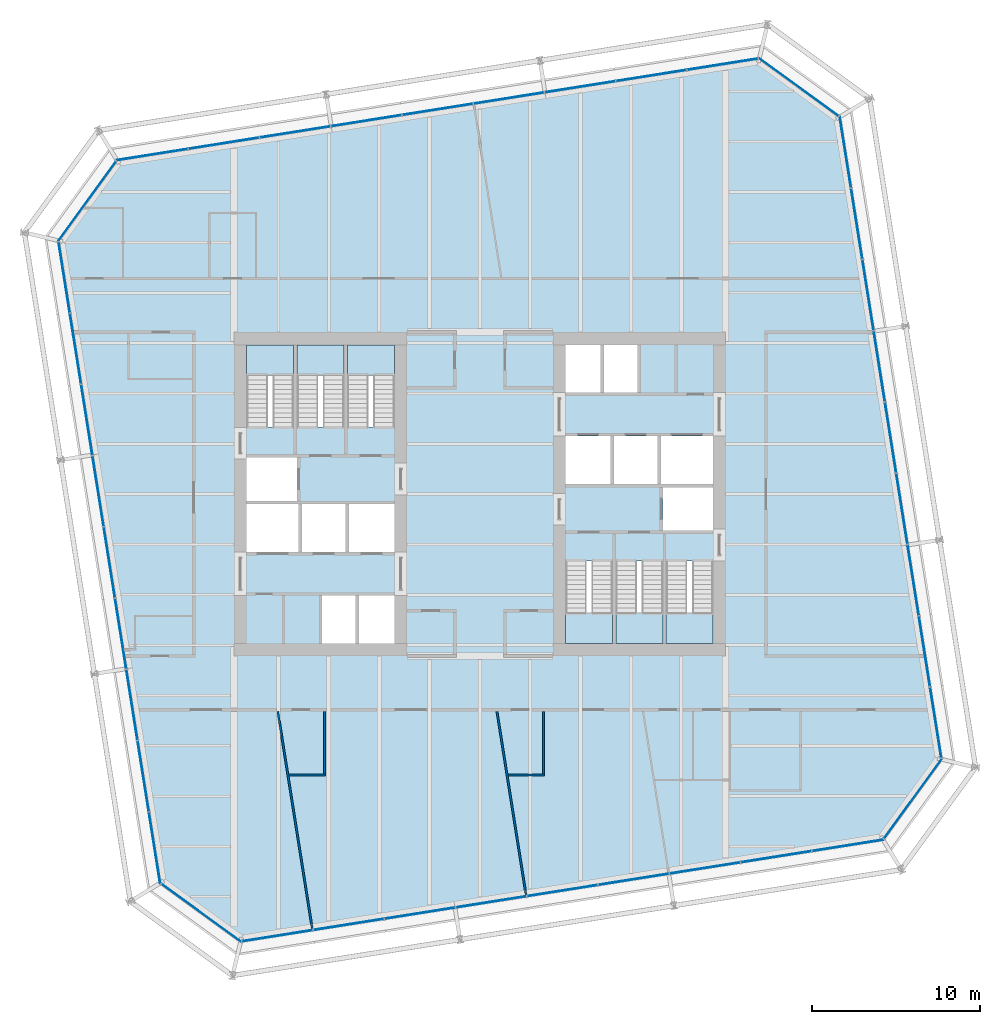
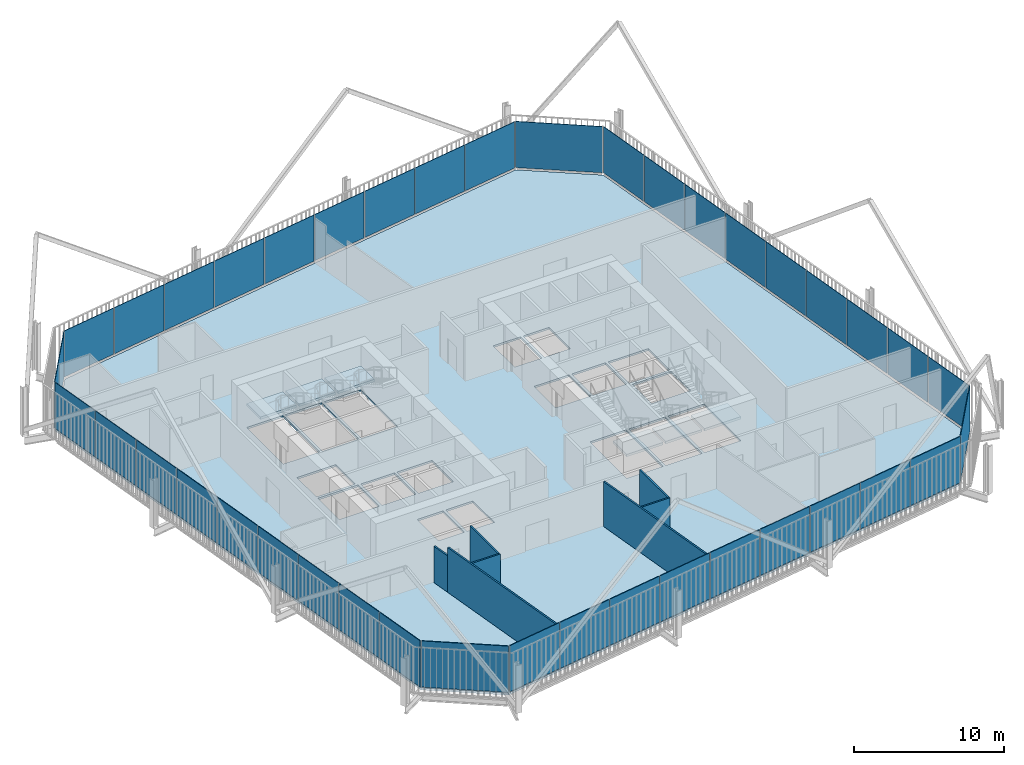
# One storey, part 17 of 22: 40 plates, 7 slabs, 7 walls, 14 elements without a shape of their own.
"""IFC4 building model written with IfcOpenShell, lengths in metres."""

from ifc_helpers import new_model, si_unit, direction, frame, frame_2d, origin, place, context, subcontext, project, spatial, polyline, rectangle, outline, extrude, material, layer, layer_set, type_object, element, aggregate, save


model = new_model("IFC4")

# Units and contexts
model_context = context("Model", 3, precision=1e-05, world=origin(), true_north=direction((0.0, 1.0)))
body_context = subcontext(model_context, "Body", "Model", "MODEL_VIEW")
ifc_project = project(units=[si_unit("LENGTHUNIT", "METRE"), si_unit("AREAUNIT", "SQUARE_METRE"), si_unit("VOLUMEUNIT", "CUBIC_METRE"), si_unit("PLANEANGLEUNIT", "RADIAN"), si_unit("MASSUNIT", "GRAM", prefix="KILO")], contexts=[model_context])

# Site, building, storey
site_placement = place(None, origin())
site = spatial("IfcSite", under=ifc_project, at=site_placement, CompositionType="ELEMENT")
building_placement = place(site_placement, origin())
building = spatial("IfcBuilding", under=site, at=building_placement, Name="Millrace Tower", CompositionType="ELEMENT")
storey_placement = place(building_placement, frame((0.0, 0.0, 168.5)))
storey = spatial("IfcBuildingStorey", under=building, at=storey_placement, Name="L38", CompositionType="ELEMENT", Elevation=168.5)

# Curtain wall, plate
ifc_material_1 = material(Name="Aluminium and glass", Category="aluminium")
ifc_layer_1 = layer(ifc_material_1, 0.14990234375)
ifc_layer_set_1 = layer_set([ifc_layer_1], Name="Aluminium and glass")
curtain_wall_type = type_object("IfcCurtainWallType", Name="CW-1 office vision curtain wall", PredefinedType="NOTDEFINED", material=ifc_layer_set_1)
placement_1 = place(storey_placement, origin())
curtain_wall_1 = element("IfcCurtainWall", 1, at=placement_1, inside=storey, type_object=curtain_wall_type, Name="Curtain wall C-F01 L38", PredefinedType="NOTDEFINED")
ifc_material_2 = material(Name="Glass", Category="glass")
ifc_layer_2 = layer(ifc_material_2, 0.0439453125)
ifc_layer_set_2 = layer_set([ifc_layer_2], Name="Glass")
plate_type = type_object("IfcPlateType", Name="CW-1 office vision curtain wall triple-glazed vision panel", PredefinedType="CURTAIN_PANEL", material=ifc_layer_set_2)
placement_2 = place(storey_placement, frame((0.0, 0.0, 0.139892578125)))
plate_1 = element("IfcPlate", 2, at=placement_2, type_object=plate_type, Name="CW1 panel C-F01.1", PredefinedType="CURTAIN_PANEL", context=body_context, shape_type="SweptSolid", body=[
    extrude(outline(polyline([(-18.988037109375, -23.254638671875), (-14.260009765625, -26.689697265625), (-14.2490234375, -26.6435546875), (-18.962158203125, -23.218994140625), (-18.988037109375, -23.254638671875)])), origin(), (0.0, 0.0, 1.0), 3.760009765625),
])
aggregate(curtain_wall_1, [plate_1])

# Curtain wall, plates
curtain_wall_2 = element("IfcCurtainWall", 3, at=placement_1, inside=storey, type_object=curtain_wall_type, Name="Curtain wall C-F02 L38", PredefinedType="NOTDEFINED")
plate_2 = element("IfcPlate", 4, at=placement_2, type_object=plate_type, Name="CW1 panel C-F02.1", PredefinedType="CURTAIN_PANEL", context=body_context, shape_type="SweptSolid", body=[
    extrude(outline(polyline([(-14.15625, -26.67333984375), (-9.973388671875, -26.0107421875), (-9.980224609375, -25.96728515625), (-14.1630859375, -26.6298828125), (-14.15625, -26.67333984375)])), origin(), (0.0, 0.0, 1.0), 3.760009765625),
])
plate_3 = element("IfcPlate", 5, at=placement_2, type_object=plate_type, Name="CW1 panel C-F02.2", PredefinedType="CURTAIN_PANEL", context=body_context, shape_type="SweptSolid", body=[
    extrude(outline(polyline([(-9.9091796875, -26.000732421875), (-5.726318359375, -25.338134765625), (-5.733154296875, -25.294677734375), (-9.916015625, -25.957275390625), (-9.9091796875, -26.000732421875)])), origin(), (0.0, 0.0, 1.0), 3.760009765625),
])
plate_4 = element("IfcPlate", 6, at=placement_2, type_object=plate_type, Name="CW1 panel C-F02.3", PredefinedType="CURTAIN_PANEL", context=body_context, shape_type="SweptSolid", body=[
    extrude(outline(polyline([(-5.662109375, -25.327880859375), (-1.479248046875, -24.66552734375), (-1.486083984375, -24.6220703125), (-5.6689453125, -25.284423828125), (-5.662109375, -25.327880859375)])), origin(), (0.0, 0.0, 1.0), 3.760009765625),
])
plate_5 = element("IfcPlate", 7, at=placement_2, type_object=plate_type, Name="CW1 panel C-F02.4", PredefinedType="CURTAIN_PANEL", context=body_context, shape_type="SweptSolid", body=[
    extrude(outline(polyline([(-1.4150390625, -24.6552734375), (2.767822265625, -23.992919921875), (2.760986328125, -23.949462890625), (-1.421875, -24.61181640625), (-1.4150390625, -24.6552734375)])), origin(), (0.0, 0.0, 1.0), 3.760009765625),
])
plate_6 = element("IfcPlate", 8, at=placement_2, type_object=plate_type, Name="CW1 panel C-F02.5", PredefinedType="CURTAIN_PANEL", context=body_context, shape_type="SweptSolid", body=[
    extrude(outline(polyline([(2.83203125, -23.982666015625), (7.014892578125, -23.320068359375), (7.008056640625, -23.276611328125), (2.8251953125, -23.939208984375), (2.83203125, -23.982666015625)])), origin(), (0.0, 0.0, 1.0), 3.760009765625),
])
plate_7 = element("IfcPlate", 9, at=placement_2, type_object=plate_type, Name="CW1 panel C-F02.6", PredefinedType="CURTAIN_PANEL", context=body_context, shape_type="SweptSolid", body=[
    extrude(outline(polyline([(7.0791015625, -23.31005859375), (11.261962890625, -22.6474609375), (11.255126953125, -22.60400390625), (7.072265625, -23.2666015625), (7.0791015625, -23.31005859375)])), origin(), (0.0, 0.0, 1.0), 3.760009765625),
])
plate_8 = element("IfcPlate", 10, at=placement_2, type_object=plate_type, Name="CW1 panel C-F02.7", PredefinedType="CURTAIN_PANEL", context=body_context, shape_type="SweptSolid", body=[
    extrude(outline(polyline([(11.326171875, -22.63720703125), (15.509033203125, -21.974853515625), (15.502197265625, -21.931396484375), (11.3193359375, -22.59375), (11.326171875, -22.63720703125)])), origin(), (0.0, 0.0, 1.0), 3.760009765625),
])
plate_9 = element("IfcPlate", 11, at=placement_2, type_object=plate_type, Name="CW1 panel C-F02.8", PredefinedType="CURTAIN_PANEL", context=body_context, shape_type="SweptSolid", body=[
    extrude(outline(polyline([(15.5732421875, -21.964599609375), (19.756103515625, -21.30224609375), (19.749267578125, -21.2587890625), (15.56640625, -21.921142578125), (15.5732421875, -21.964599609375)])), origin(), (0.0, 0.0, 1.0), 3.760009765625),
])
plate_10 = element("IfcPlate", 12, at=placement_2, type_object=plate_type, Name="CW1 panel C-F02.9", PredefinedType="CURTAIN_PANEL", context=body_context, shape_type="SweptSolid", body=[
    extrude(outline(polyline([(19.8203125, -21.2919921875), (24.042724609375, -20.623291015625), (24.01806640625, -20.58251953125), (19.8134765625, -21.24853515625), (19.8203125, -21.2919921875)])), origin(), (0.0, 0.0, 1.0), 3.760009765625),
])
aggregate(curtain_wall_2, [plate_2, plate_3, plate_4, plate_5, plate_6, plate_7, plate_8, plate_9, plate_10])

# Curtain wall, plate
curtain_wall_3 = element("IfcCurtainWall", 13, at=placement_1, inside=storey, type_object=curtain_wall_type, Name="Curtain wall C-F03 L38", PredefinedType="NOTDEFINED")
plate_11 = element("IfcPlate", 14, at=placement_2, type_object=plate_type, Name="CW1 panel C-F03.1", PredefinedType="CURTAIN_PANEL", context=body_context, shape_type="SweptSolid", body=[
    extrude(outline(polyline([(24.104736328125, -20.5380859375), (27.539794921875, -15.81005859375), (27.493408203125, -15.799072265625), (24.069091796875, -20.51220703125), (24.104736328125, -20.5380859375)])), origin(), (0.0, 0.0, 1.0), 3.760009765625),
])
aggregate(curtain_wall_3, [plate_11])

# Curtain wall, plates
curtain_wall_4 = element("IfcCurtainWall", 15, at=placement_1, inside=storey, type_object=curtain_wall_type, Name="Curtain wall C-F04 L38", PredefinedType="NOTDEFINED")
plate_12 = element("IfcPlate", 16, at=placement_2, type_object=plate_type, Name="CW1 panel C-F04.1", PredefinedType="CURTAIN_PANEL", context=body_context, shape_type="SweptSolid", body=[
    extrude(outline(polyline([(27.5234375, -15.706298828125), (26.86083984375, -11.5234375), (26.8173828125, -11.5302734375), (27.47998046875, -15.713134765625), (27.5234375, -15.706298828125)])), origin(), (0.0, 0.0, 1.0), 3.760009765625),
])
plate_13 = element("IfcPlate", 17, at=placement_2, type_object=plate_type, Name="CW1 panel C-F04.2", PredefinedType="CURTAIN_PANEL", context=body_context, shape_type="SweptSolid", body=[
    extrude(outline(polyline([(26.8505859375, -11.459228515625), (26.188232421875, -7.2763671875), (26.144775390625, -7.283203125), (26.80712890625, -11.466064453125), (26.8505859375, -11.459228515625)])), origin(), (0.0, 0.0, 1.0), 3.760009765625),
])
plate_14 = element("IfcPlate", 18, at=placement_2, type_object=plate_type, Name="CW1 panel C-F04.3", PredefinedType="CURTAIN_PANEL", context=body_context, shape_type="SweptSolid", body=[
    extrude(outline(polyline([(26.177978515625, -7.212158203125), (25.515380859375, -3.029296875), (25.471923828125, -3.0361328125), (26.134521484375, -7.218994140625), (26.177978515625, -7.212158203125)])), origin(), (0.0, 0.0, 1.0), 3.760009765625),
])
plate_15 = element("IfcPlate", 19, at=placement_2, type_object=plate_type, Name="CW1 panel C-F04.4", PredefinedType="CURTAIN_PANEL", context=body_context, shape_type="SweptSolid", body=[
    extrude(outline(polyline([(25.50537109375, -2.965087890625), (24.8427734375, 1.2177734375), (24.79931640625, 1.2109375), (25.4619140625, -2.971923828125), (25.50537109375, -2.965087890625)])), origin(), (0.0, 0.0, 1.0), 3.760009765625),
])
plate_16 = element("IfcPlate", 20, at=placement_2, type_object=plate_type, Name="CW1 panel C-F04.5", PredefinedType="CURTAIN_PANEL", context=body_context, shape_type="SweptSolid", body=[
    extrude(outline(polyline([(24.832763671875, 1.281982421875), (24.170166015625, 5.46484375), (24.126708984375, 5.4580078125), (24.789306640625, 1.275146484375), (24.832763671875, 1.281982421875)])), origin(), (0.0, 0.0, 1.0), 3.760009765625),
])
plate_17 = element("IfcPlate", 21, at=placement_2, type_object=plate_type, Name="CW1 panel C-F04.6", PredefinedType="CURTAIN_PANEL", context=body_context, shape_type="SweptSolid", body=[
    extrude(outline(polyline([(24.159912109375, 5.529052734375), (23.49755859375, 9.7119140625), (23.4541015625, 9.705078125), (24.116455078125, 5.522216796875), (24.159912109375, 5.529052734375)])), origin(), (0.0, 0.0, 1.0), 3.760009765625),
])
plate_18 = element("IfcPlate", 22, at=placement_2, type_object=plate_type, Name="CW1 panel C-F04.7", PredefinedType="CURTAIN_PANEL", context=body_context, shape_type="SweptSolid", body=[
    extrude(outline(polyline([(23.4873046875, 9.776123046875), (22.82470703125, 13.958984375), (22.78125, 13.9521484375), (23.44384765625, 9.769287109375), (23.4873046875, 9.776123046875)])), origin(), (0.0, 0.0, 1.0), 3.760009765625),
])
plate_19 = element("IfcPlate", 23, at=placement_2, type_object=plate_type, Name="CW1 panel C-F04.8", PredefinedType="CURTAIN_PANEL", context=body_context, shape_type="SweptSolid", body=[
    extrude(outline(polyline([(22.814697265625, 14.023193359375), (22.152099609375, 18.2060546875), (22.108642578125, 18.19921875), (22.771240234375, 14.016357421875), (22.814697265625, 14.023193359375)])), origin(), (0.0, 0.0, 1.0), 3.760009765625),
])
plate_20 = element("IfcPlate", 24, at=placement_2, type_object=plate_type, Name="CW1 panel C-F04.9", PredefinedType="CURTAIN_PANEL", context=body_context, shape_type="SweptSolid", body=[
    extrude(outline(polyline([(22.14208984375, 18.270263671875), (21.47314453125, 22.492919921875), (21.4326171875, 22.468017578125), (22.0986328125, 18.263427734375), (22.14208984375, 18.270263671875)])), origin(), (0.0, 0.0, 1.0), 3.760009765625),
])
aggregate(curtain_wall_4, [plate_12, plate_13, plate_14, plate_15, plate_16, plate_17, plate_18, plate_19, plate_20])

# Curtain wall, plate
curtain_wall_5 = element("IfcCurtainWall", 25, at=placement_1, inside=storey, type_object=curtain_wall_type, Name="Curtain wall C-F05 L38", PredefinedType="NOTDEFINED")
plate_21 = element("IfcPlate", 26, at=placement_2, type_object=plate_type, Name="CW1 panel C-F05.1", PredefinedType="CURTAIN_PANEL", context=body_context, shape_type="SweptSolid", body=[
    extrude(outline(polyline([(21.38818359375, 22.5546875), (16.66015625, 25.98974609375), (16.64892578125, 25.943359375), (21.3623046875, 22.51904296875), (21.38818359375, 22.5546875)])), origin(), (0.0, 0.0, 1.0), 3.760009765625),
])
aggregate(curtain_wall_5, [plate_21])

# Curtain wall, plates
curtain_wall_6 = element("IfcCurtainWall", 27, at=placement_1, inside=storey, type_object=curtain_wall_type, Name="Curtain wall C-F06 L38", PredefinedType="NOTDEFINED")
plate_22 = element("IfcPlate", 28, at=placement_2, type_object=plate_type, Name="CW1 panel C-F06.1", PredefinedType="CURTAIN_PANEL", context=body_context, shape_type="SweptSolid", body=[
    extrude(outline(polyline([(16.55615234375, 25.973388671875), (12.373291015625, 25.310791015625), (12.380126953125, 25.267333984375), (16.56298828125, 25.929931640625), (16.55615234375, 25.973388671875)])), origin(), (0.0, 0.0, 1.0), 3.760009765625),
])
plate_23 = element("IfcPlate", 29, at=placement_2, type_object=plate_type, Name="CW1 panel C-F06.2", PredefinedType="CURTAIN_PANEL", context=body_context, shape_type="SweptSolid", body=[
    extrude(outline(polyline([(12.30908203125, 25.300537109375), (8.126220703125, 24.63818359375), (8.133056640625, 24.5947265625), (12.31591796875, 25.257080078125), (12.30908203125, 25.300537109375)])), origin(), (0.0, 0.0, 1.0), 3.760009765625),
])
plate_24 = element("IfcPlate", 30, at=placement_2, type_object=plate_type, Name="CW1 panel C-F06.3", PredefinedType="CURTAIN_PANEL", context=body_context, shape_type="SweptSolid", body=[
    extrude(outline(polyline([(8.06201171875, 24.6279296875), (3.879150390625, 23.965576171875), (3.885986328125, 23.922119140625), (8.06884765625, 24.58447265625), (8.06201171875, 24.6279296875)])), origin(), (0.0, 0.0, 1.0), 3.760009765625),
])
plate_25 = element("IfcPlate", 31, at=placement_2, type_object=plate_type, Name="CW1 panel C-F06.4", PredefinedType="CURTAIN_PANEL", context=body_context, shape_type="SweptSolid", body=[
    extrude(outline(polyline([(3.81494140625, 23.955322265625), (-0.367919921875, 23.292724609375), (-0.361083984375, 23.249267578125), (3.82177734375, 23.911865234375), (3.81494140625, 23.955322265625)])), origin(), (0.0, 0.0, 1.0), 3.760009765625),
])
plate_26 = element("IfcPlate", 32, at=placement_2, type_object=plate_type, Name="CW1 panel C-F06.5", PredefinedType="CURTAIN_PANEL", context=body_context, shape_type="SweptSolid", body=[
    extrude(outline(polyline([(-0.43212890625, 23.28271484375), (-4.614990234375, 22.6201171875), (-4.60791015625, 22.57666015625), (-0.42529296875, 23.2392578125), (-0.43212890625, 23.28271484375)])), origin(), (0.0, 0.0, 1.0), 3.760009765625),
])
plate_27 = element("IfcPlate", 33, at=placement_2, type_object=plate_type, Name="CW1 panel C-F06.6", PredefinedType="CURTAIN_PANEL", context=body_context, shape_type="SweptSolid", body=[
    extrude(outline(polyline([(-4.67919921875, 22.60986328125), (-8.862060546875, 21.947509765625), (-8.85498046875, 21.904052734375), (-4.672119140625, 22.56640625), (-4.67919921875, 22.60986328125)])), origin(), (0.0, 0.0, 1.0), 3.760009765625),
])
plate_28 = element("IfcPlate", 34, at=placement_2, type_object=plate_type, Name="CW1 panel C-F06.7", PredefinedType="CURTAIN_PANEL", context=body_context, shape_type="SweptSolid", body=[
    extrude(outline(polyline([(-8.92626953125, 21.937255859375), (-13.109130859375, 21.27490234375), (-13.10205078125, 21.2314453125), (-8.919189453125, 21.893798828125), (-8.92626953125, 21.937255859375)])), origin(), (0.0, 0.0, 1.0), 3.760009765625),
])
plate_29 = element("IfcPlate", 35, at=placement_2, type_object=plate_type, Name="CW1 panel C-F06.8", PredefinedType="CURTAIN_PANEL", context=body_context, shape_type="SweptSolid", body=[
    extrude(outline(polyline([(-13.17333984375, 21.2646484375), (-17.356201171875, 20.60205078125), (-17.34912109375, 20.55859375), (-13.166259765625, 21.22119140625), (-13.17333984375, 21.2646484375)])), origin(), (0.0, 0.0, 1.0), 3.760009765625),
])
plate_30 = element("IfcPlate", 36, at=placement_2, type_object=plate_type, Name="CW1 panel C-F06.9", PredefinedType="CURTAIN_PANEL", context=body_context, shape_type="SweptSolid", body=[
    extrude(outline(polyline([(-17.42041015625, 20.592041015625), (-21.642822265625, 19.923095703125), (-21.617919921875, 19.882568359375), (-17.413330078125, 20.548583984375), (-17.42041015625, 20.592041015625)])), origin(), (0.0, 0.0, 1.0), 3.760009765625),
])
aggregate(curtain_wall_6, [plate_22, plate_23, plate_24, plate_25, plate_26, plate_27, plate_28, plate_29, plate_30])

# Curtain wall, plate
curtain_wall_7 = element("IfcCurtainWall", 37, at=placement_1, inside=storey, type_object=curtain_wall_type, Name="Curtain wall C-F07 L38", PredefinedType="NOTDEFINED")
plate_31 = element("IfcPlate", 38, at=placement_2, type_object=plate_type, Name="CW1 panel C-F07.1", PredefinedType="CURTAIN_PANEL", context=body_context, shape_type="SweptSolid", body=[
    extrude(outline(polyline([(-21.70458984375, 19.838134765625), (-25.139892578125, 15.110107421875), (-25.093505859375, 15.098876953125), (-21.6689453125, 19.812255859375), (-21.70458984375, 19.838134765625)])), origin(), (0.0, 0.0, 1.0), 3.760009765625),
])
aggregate(curtain_wall_7, [plate_31])

# Curtain wall, plates
curtain_wall_8 = element("IfcCurtainWall", 39, at=placement_1, inside=storey, type_object=curtain_wall_type, Name="Curtain wall C-F08 L38", PredefinedType="NOTDEFINED")
plate_32 = element("IfcPlate", 40, at=placement_2, type_object=plate_type, Name="CW1 panel C-F08.1", PredefinedType="CURTAIN_PANEL", context=body_context, shape_type="SweptSolid", body=[
    extrude(outline(polyline([(-25.123291015625, 15.006103515625), (-24.4609375, 10.8232421875), (-24.41748046875, 10.830322265625), (-25.079833984375, 15.01318359375), (-25.123291015625, 15.006103515625)])), origin(), (0.0, 0.0, 1.0), 3.760009765625),
])
plate_33 = element("IfcPlate", 41, at=placement_2, type_object=plate_type, Name="CW1 panel C-F08.2", PredefinedType="CURTAIN_PANEL", context=body_context, shape_type="SweptSolid", body=[
    extrude(outline(polyline([(-24.45068359375, 10.759033203125), (-23.7880859375, 6.576171875), (-23.74462890625, 6.583251953125), (-24.4072265625, 10.76611328125), (-24.45068359375, 10.759033203125)])), origin(), (0.0, 0.0, 1.0), 3.760009765625),
])
plate_34 = element("IfcPlate", 42, at=placement_2, type_object=plate_type, Name="CW1 panel C-F08.3", PredefinedType="CURTAIN_PANEL", context=body_context, shape_type="SweptSolid", body=[
    extrude(outline(polyline([(-23.778076171875, 6.511962890625), (-23.115478515625, 2.3291015625), (-23.072021484375, 2.336181640625), (-23.734619140625, 6.51904296875), (-23.778076171875, 6.511962890625)])), origin(), (0.0, 0.0, 1.0), 3.760009765625),
])
plate_35 = element("IfcPlate", 43, at=placement_2, type_object=plate_type, Name="CW1 panel C-F08.4", PredefinedType="CURTAIN_PANEL", context=body_context, shape_type="SweptSolid", body=[
    extrude(outline(polyline([(-23.105224609375, 2.264892578125), (-22.44287109375, -1.91796875), (-22.3994140625, -1.910888671875), (-23.061767578125, 2.27197265625), (-23.105224609375, 2.264892578125)])), origin(), (0.0, 0.0, 1.0), 3.760009765625),
])
plate_36 = element("IfcPlate", 44, at=placement_2, type_object=plate_type, Name="CW1 panel C-F08.5", PredefinedType="CURTAIN_PANEL", context=body_context, shape_type="SweptSolid", body=[
    extrude(outline(polyline([(-22.4326171875, -1.98193359375), (-21.770263671875, -6.164794921875), (-21.726806640625, -6.157958984375), (-22.38916015625, -1.97509765625), (-22.4326171875, -1.98193359375)])), origin(), (0.0, 0.0, 1.0), 3.760009765625),
])
plate_37 = element("IfcPlate", 45, at=placement_2, type_object=plate_type, Name="CW1 panel C-F08.6", PredefinedType="CURTAIN_PANEL", context=body_context, shape_type="SweptSolid", body=[
    extrude(outline(polyline([(-21.760009765625, -6.22900390625), (-21.097412109375, -10.411865234375), (-21.053955078125, -10.405029296875), (-21.716552734375, -6.22216796875), (-21.760009765625, -6.22900390625)])), origin(), (0.0, 0.0, 1.0), 3.760009765625),
])
plate_38 = element("IfcPlate", 46, at=placement_2, type_object=plate_type, Name="CW1 panel C-F08.7", PredefinedType="CURTAIN_PANEL", context=body_context, shape_type="SweptSolid", body=[
    extrude(outline(polyline([(-21.08740234375, -10.47607421875), (-20.4248046875, -14.658935546875), (-20.38134765625, -14.652099609375), (-21.0439453125, -10.46923828125), (-21.08740234375, -10.47607421875)])), origin(), (0.0, 0.0, 1.0), 3.760009765625),
])
plate_39 = element("IfcPlate", 47, at=placement_2, type_object=plate_type, Name="CW1 panel C-F08.8", PredefinedType="CURTAIN_PANEL", context=body_context, shape_type="SweptSolid", body=[
    extrude(outline(polyline([(-20.41455078125, -14.72314453125), (-19.752197265625, -18.906005859375), (-19.708740234375, -18.899169921875), (-20.37109375, -14.71630859375), (-20.41455078125, -14.72314453125)])), origin(), (0.0, 0.0, 1.0), 3.760009765625),
])
plate_40 = element("IfcPlate", 48, at=placement_2, type_object=plate_type, Name="CW1 panel C-F08.9", PredefinedType="CURTAIN_PANEL", context=body_context, shape_type="SweptSolid", body=[
    extrude(outline(polyline([(-19.741943359375, -18.97021484375), (-19.0732421875, -23.19287109375), (-19.032470703125, -23.16796875), (-19.698486328125, -18.96337890625), (-19.741943359375, -18.97021484375)])), origin(), (0.0, 0.0, 1.0), 3.760009765625),
])
aggregate(curtain_wall_8, [plate_32, plate_33, plate_34, plate_35, plate_36, plate_37, plate_38, plate_39, plate_40])

# Slab
ifc_material_3 = material(Name="Concrete C35 on steel deck", Category="concrete")
ifc_layer_3 = layer(ifc_material_3, 0.159912109375)
ifc_layer_set_3 = layer_set([ifc_layer_3], Name="Concrete C35 on steel deck")
slab_type_1 = type_object("IfcSlabType", Name="Composite floor slab 160 mm", PredefinedType="FLOOR", material=ifc_layer_set_3)
slab_1_placement = place(storey_placement, frame((0.0, 0.0, -0.159912109375)))
element("IfcSlab", 49, at=slab_1_placement, inside=storey, type_object=slab_type_1, Name="SL-C-L38-S1", PredefinedType="FLOOR", context=body_context, shape_type="SweptSolid", body=[
    extrude(outline(polyline([(-18.983642578125, -23.137939453125), (-14.235595703125, -26.587646484375), (23.988037109375, -20.53369140625), (27.437744140625, -15.78564453125), (21.3837890625, 22.43798828125), (16.635498046875, 25.8876953125), (-21.587890625, 19.833740234375), (-25.03759765625, 15.08544921875), (-18.983642578125, -23.137939453125)]), holes=[polyline([(-9.39990234375, -8.89990234375), (-7.39990234375, -8.89990234375), (-7.39990234375, -6.050048828125), (-9.39990234375, -6.050048828125), (-9.39990234375, -8.89990234375)]), polyline([(-7.199951171875, -8.89990234375), (-5.10009765625, -8.89990234375), (-5.10009765625, -6.050048828125), (-7.199951171875, -6.050048828125), (-7.199951171875, -8.89990234375)]), polyline([(-13.89990234375, -3.449951171875), (-10.800048828125, -3.449951171875), (-10.800048828125, -0.60009765625), (-13.89990234375, -0.60009765625), (-13.89990234375, -3.449951171875)]), polyline([(-10.60009765625, -3.449951171875), (-8.0, -3.449951171875), (-8.0, -0.60009765625), (-10.60009765625, -0.60009765625), (-10.60009765625, -3.449951171875)]), polyline([(-7.800048828125, -3.449951171875), (-5.10009765625, -3.449951171875), (-5.10009765625, -0.60009765625), (-7.800048828125, -0.60009765625), (-7.800048828125, -3.449951171875)]), polyline([(-13.89990234375, -0.39990234375), (-10.89990234375, -0.39990234375), (-10.89990234375, 2.179931640625), (-13.89990234375, 2.179931640625), (-13.89990234375, -0.39990234375)]), polyline([(-13.89990234375, 4.0), (-11.10009765625, 4.0), (-11.10009765625, 8.89990234375), (-13.89990234375, 8.89990234375), (-13.89990234375, 4.0)]), polyline([(-10.89990234375, 4.0), (-8.10009765625, 4.0), (-8.10009765625, 8.89990234375), (-10.89990234375, 8.89990234375), (-10.89990234375, 4.0)]), polyline([(-7.89990234375, 4.0), (-5.10009765625, 4.0), (-5.10009765625, 8.89990234375), (-7.89990234375, 8.89990234375), (-7.89990234375, 4.0)]), polyline([(7.39990234375, 6.050048828125), (9.39990234375, 6.050048828125), (9.39990234375, 8.89990234375), (7.39990234375, 8.89990234375), (7.39990234375, 6.050048828125)]), polyline([(5.10009765625, 6.050048828125), (7.199951171875, 6.050048828125), (7.199951171875, 8.89990234375), (5.10009765625, 8.89990234375), (5.10009765625, 6.050048828125)]), polyline([(10.800048828125, 0.60009765625), (13.89990234375, 0.60009765625), (13.89990234375, 3.449951171875), (10.800048828125, 3.449951171875), (10.800048828125, 0.60009765625)]), polyline([(8.0, 0.60009765625), (10.60009765625, 0.60009765625), (10.60009765625, 3.449951171875), (8.0, 3.449951171875), (8.0, 0.60009765625)]), polyline([(5.10009765625, 0.60009765625), (7.800048828125, 0.60009765625), (7.800048828125, 3.449951171875), (5.10009765625, 3.449951171875), (5.10009765625, 0.60009765625)]), polyline([(10.89990234375, -2.179931640625), (13.89990234375, -2.179931640625), (13.89990234375, 0.39990234375), (10.89990234375, 0.39990234375), (10.89990234375, -2.179931640625)]), polyline([(11.10009765625, -8.89990234375), (13.89990234375, -8.89990234375), (13.89990234375, -4.0), (11.10009765625, -4.0), (11.10009765625, -8.89990234375)]), polyline([(8.10009765625, -8.89990234375), (10.89990234375, -8.89990234375), (10.89990234375, -4.0), (8.10009765625, -4.0), (8.10009765625, -8.89990234375)]), polyline([(5.10009765625, -8.89990234375), (7.89990234375, -8.89990234375), (7.89990234375, -4.0), (5.10009765625, -4.0), (5.10009765625, -8.89990234375)])]), origin(), (0.0, 0.0, 1.0), 0.159912109375),
])

# Stair, slab
ifc_material_4 = material(Name="Concrete C35", Category="concrete")
stair_type = type_object("IfcStairType", Name="Exit stair", PredefinedType="HALF_TURN_STAIR", material=ifc_material_4)
stair_1 = element("IfcStair", 50, at=placement_1, inside=storey, type_object=stair_type, Name="Stair 1 W L38", PredefinedType="HALF_TURN_STAIR")
ifc_material_5 = material(Name="Concrete C40", Category="concrete")
ifc_layer_4 = layer(ifc_material_5, 0.199951171875)
ifc_layer_set_4 = layer_set([ifc_layer_4], Name="Concrete C40")
slab_type_2 = type_object("IfcSlabType", Name="Stair landing", PredefinedType="LANDING", material=ifc_layer_set_4)
placement_3 = place(storey_placement, frame((0.0, 0.0, 1.75)))
slab_2 = element("IfcSlab", 51, at=placement_3, type_object=slab_type_2, Name="ST12 landing 1", PredefinedType="LANDING", context=body_context, shape_type="SweptSolid", body=[
    extrude(outline(polyline([(-13.89990234375, 7.080078125), (-11.10009765625, 7.080078125), (-11.10009765625, 8.89990234375), (-13.89990234375, 8.89990234375), (-13.89990234375, 7.080078125)])), origin(), (0.0, 0.0, 1.0), 0.199951171875),
])
aggregate(stair_1, [slab_2])

stair_2 = element("IfcStair", 52, at=placement_1, inside=storey, type_object=stair_type, Name="Stair 2 W L38", PredefinedType="HALF_TURN_STAIR")
slab_3 = element("IfcSlab", 53, at=placement_3, type_object=slab_type_2, Name="ST12 landing 1", PredefinedType="LANDING", context=body_context, shape_type="SweptSolid", body=[
    extrude(outline(polyline([(-10.89990234375, 7.080078125), (-8.10009765625, 7.080078125), (-8.10009765625, 8.89990234375), (-10.89990234375, 8.89990234375), (-10.89990234375, 7.080078125)])), origin(), (0.0, 0.0, 1.0), 0.199951171875),
])
aggregate(stair_2, [slab_3])

stair_3 = element("IfcStair", 54, at=placement_1, inside=storey, type_object=stair_type, Name="Stair 3 W L38", PredefinedType="HALF_TURN_STAIR")
slab_4 = element("IfcSlab", 55, at=placement_3, type_object=slab_type_2, Name="ST12 landing 1", PredefinedType="LANDING", context=body_context, shape_type="SweptSolid", body=[
    extrude(outline(polyline([(-7.89990234375, 7.080078125), (-5.10009765625, 7.080078125), (-5.10009765625, 8.89990234375), (-7.89990234375, 8.89990234375), (-7.89990234375, 7.080078125)])), origin(), (0.0, 0.0, 1.0), 0.199951171875),
])
aggregate(stair_3, [slab_4])

stair_4 = element("IfcStair", 56, at=placement_1, inside=storey, type_object=stair_type, Name="Stair 1 E L38", PredefinedType="HALF_TURN_STAIR")
slab_5 = element("IfcSlab", 57, at=placement_3, type_object=slab_type_2, Name="ST12 landing 1", PredefinedType="LANDING", context=body_context, shape_type="SweptSolid", body=[
    extrude(outline(polyline([(11.10009765625, -8.89990234375), (13.89990234375, -8.89990234375), (13.89990234375, -7.080078125), (11.10009765625, -7.080078125), (11.10009765625, -8.89990234375)])), origin(), (0.0, 0.0, 1.0), 0.199951171875),
])
aggregate(stair_4, [slab_5])

stair_5 = element("IfcStair", 58, at=placement_1, inside=storey, type_object=stair_type, Name="Stair 2 E L38", PredefinedType="HALF_TURN_STAIR")
slab_6 = element("IfcSlab", 59, at=placement_3, type_object=slab_type_2, Name="ST12 landing 1", PredefinedType="LANDING", context=body_context, shape_type="SweptSolid", body=[
    extrude(outline(polyline([(8.10009765625, -8.89990234375), (10.89990234375, -8.89990234375), (10.89990234375, -7.080078125), (8.10009765625, -7.080078125), (8.10009765625, -8.89990234375)])), origin(), (0.0, 0.0, 1.0), 0.199951171875),
])
aggregate(stair_5, [slab_6])

stair_6 = element("IfcStair", 60, at=placement_1, inside=storey, type_object=stair_type, Name="Stair 3 E L38", PredefinedType="HALF_TURN_STAIR")
slab_7 = element("IfcSlab", 61, at=placement_3, type_object=slab_type_2, Name="ST12 landing 1", PredefinedType="LANDING", context=body_context, shape_type="SweptSolid", body=[
    extrude(outline(polyline([(5.10009765625, -8.89990234375), (7.89990234375, -8.89990234375), (7.89990234375, -7.080078125), (5.10009765625, -7.080078125), (5.10009765625, -8.89990234375)])), origin(), (0.0, 0.0, 1.0), 0.199951171875),
])
aggregate(stair_6, [slab_7])

# Walls
ifc_material_6 = material(Name="Gypsum board partition")
ifc_layer_5 = layer(ifc_material_6, 0.1201171875)
ifc_layer_set_5 = layer_set([ifc_layer_5], Name="Gypsum board partition")
wall_type = type_object("IfcWallType", Name="Partition wall 120", PredefinedType="PARTITIONING", material=ifc_layer_set_5)
wall_1_placement = place(storey_placement, frame((-12.042236328125, -12.94873046875, 0.0), z_axis=(0.0, 0.0, 1.0), x_axis=(0.156414950645, -0.987691431174, 0.0)))
element("IfcWall", 62, at=wall_1_placement, inside=storey, type_object=wall_type, Name="Partition wall L38", PredefinedType="PARTITIONING", context=body_context, shape_type="SweptSolid", body=[
    extrude(rectangle(XDim=1.46875, YDim=0.1201171875, at=frame_2d((0.734375, 0.0))), origin(), (0.0, 0.0, 1.0), 2.95654296875),
])
wall_2_placement = place(storey_placement, frame((-11.8125, -14.3994140625, 0.0), z_axis=(0.0, 0.0, 1.0), x_axis=(0.156519187065, -0.98767491822, 0.0)))
element("IfcWall", 63, at=wall_2_placement, inside=storey, type_object=wall_type, Name="Partition wall L38", PredefinedType="PARTITIONING", context=body_context, shape_type="SweptSolid", body=[
    extrude(rectangle(XDim=11.689208984375, YDim=0.1201171875, at=frame_2d((5.8447265625, 0.0))), origin(), (0.0, 0.0, 1.0), 3.64990234375),
])
wall_3_placement = place(storey_placement, frame((1.0185546875, -12.94873046875, 0.0), z_axis=(0.0, 0.0, 1.0), x_axis=(0.156525396529, -0.987673934171, 0.0)))
element("IfcWall", 64, at=wall_3_placement, inside=storey, type_object=wall_type, Name="Partition wall L38", PredefinedType="PARTITIONING", context=body_context, shape_type="SweptSolid", body=[
    extrude(rectangle(XDim=11.11474609375, YDim=0.1201171875, at=frame_2d((5.557373046875, 0.0))), origin(), (0.0, 0.0, 1.0), 3.64990234375),
])
wall_4_placement = place(storey_placement, frame((-11.3798828125, -16.75, 0.0), z_axis=(0.0, 0.0, 1.0), x_axis=(1.0, 0.0, 0.0)))
element("IfcWall", 65, at=wall_4_placement, inside=storey, type_object=wall_type, Name="Partition wall L38", PredefinedType="PARTITIONING", context=body_context, shape_type="SweptSolid", body=[
    extrude(rectangle(XDim=2.181884765625, YDim=0.1201171875, at=frame_2d((1.0908203125, 0.0))), origin(), (0.0, 0.0, 1.0), 3.64990234375),
])
wall_5_placement = place(storey_placement, frame((1.680908203125, -16.75, 0.0), z_axis=(0.0, 0.0, 1.0), x_axis=(1.0, 0.0, 0.0)))
element("IfcWall", 66, at=wall_5_placement, inside=storey, type_object=wall_type, Name="Partition wall L38", PredefinedType="PARTITIONING", context=body_context, shape_type="SweptSolid", body=[
    extrude(rectangle(XDim=2.18212890625, YDim=0.1201171875, at=frame_2d((1.091064453125, 0.0))), origin(), (0.0, 0.0, 1.0), 3.64990234375),
])
for number, where, z_axis, x_axis, name in (
    (67, (3.802978515625, -16.68994140625, 0.0), (0.0, 0.0, 1.0), (0.0, 1.0, 0.0), "Partition wall L38"),
    (68, (-9.258056640625, -16.68994140625, 0.0), (0.0, 0.0, 1.0), (0.0, 1.0, 0.0), "Partition wall L38"),
):
    element("IfcWall", number, at=place(storey_placement, frame(where, z_axis=z_axis, x_axis=x_axis)), inside=storey, type_object=wall_type, Name=name, PredefinedType="PARTITIONING", context=body_context, shape_type="SweptSolid", body=[
        extrude(rectangle(XDim=3.739990234375, YDim=0.1201171875, at=frame_2d((1.8701171875, 0.0))), origin(), (0.0, 0.0, 1.0), 3.64990234375),
    ])

save(model, "model.ifc")
